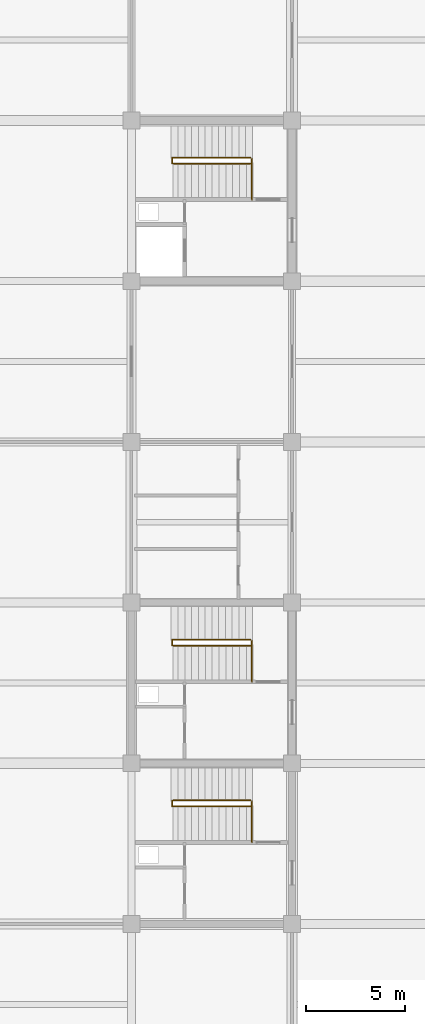
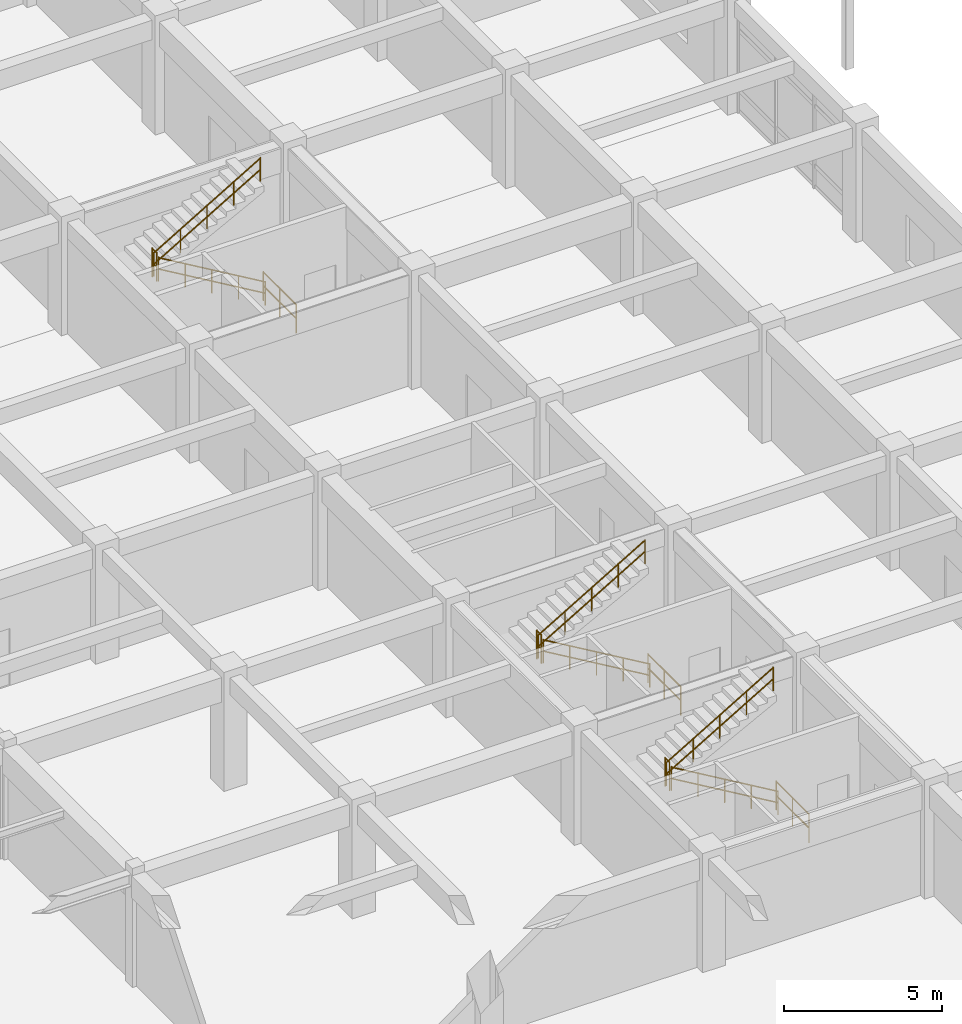
# One storey, part 90 of 93: 12 railings.
"""IFC4 building model written with IfcOpenShell, lengths in metres."""

from ifc_helpers import new_model, si_unit, direction, frame, origin, origin_2d, place, context, subcontext, project, spatial, circle, extrude, material, type_object, element, save


model = new_model("IFC4")

# Units and contexts
model_context = context("Model", 3, precision=1e-05, world=origin(), true_north=direction((0.0, 1.0)))
body_context = subcontext(model_context, "Body", "Model", "MODEL_VIEW")
ifc_project = project(units=[si_unit("LENGTHUNIT", "METRE"), si_unit("AREAUNIT", "SQUARE_METRE"), si_unit("VOLUMEUNIT", "CUBIC_METRE"), si_unit("PLANEANGLEUNIT", "RADIAN"), si_unit("MASSUNIT", "GRAM", prefix="KILO")], contexts=[model_context])

# Site, building, storey
site_placement = place(None, origin())
site = spatial("IfcSite", under=ifc_project, at=site_placement, CompositionType="ELEMENT")
building_placement = place(site_placement, origin())
building = spatial("IfcBuilding", under=site, at=building_placement, Name="Vaudrelin Polytechnic", CompositionType="ELEMENT")
storey_placement = place(building_placement, frame((0.0, 0.0, 5.10009765625)))
storey = spatial("IfcBuildingStorey", under=building, at=storey_placement, Name="L01", CompositionType="ELEMENT", Elevation=5.10009765625)

# Railings
ifc_material = material(Name="Brushed stainless steel AISI 304", Category="steel")
railing_type_1 = type_object("IfcRailingType", Name="RAL-GR-INT", PredefinedType="GUARDRAIL", material=ifc_material)
railing_1_placement = place(storey_placement, frame((151.8798828125, 68.909912109375, 0.0)))
element("IfcRailing", 1, at=railing_1_placement, inside=storey, type_object=railing_type_1, Name="ST-07-L00 upper well guardrail", PredefinedType="GUARDRAIL", context=body_context, shape_type="SweptSolid", body=[
    extrude(circle(Radius=0.02392578125, at=origin_2d()), frame((0.0, 0.023193359375, 1.09619140625), z_axis=(0.0, 1.0, 0.0), x_axis=(-1.0, 0.0, 0.0)), (0.0, 0.0, 1.0), 2.02392578125),
    extrude(circle(Radius=0.02392578125, at=origin_2d()), frame((0.0, 0.023193359375, 0.56005859375), z_axis=(0.0, 1.0, 0.0), x_axis=(-1.0, 0.0, 0.0)), (0.0, 0.0, 1.0), 2.02392578125),
    extrude(circle(Radius=0.02099609375, at=origin_2d()), origin(), (0.0, 0.0, 1.0), 1.1201171875),
    extrude(circle(Radius=0.02099609375, at=origin_2d()), frame((0.0, 1.03515625, 0.0)), (0.0, 0.0, 1.0), 1.1201171875),
    extrude(circle(Radius=0.02099609375, at=origin_2d()), frame((0.0, 2.070068359375, 0.0)), (0.0, 0.0, 1.0), 1.1201171875),
])
railing_2_placement = place(storey_placement, frame((147.85009765625, 70.739990234375, 2.294921875)))
element("IfcRailing", 2, at=railing_2_placement, inside=storey, type_object=railing_type_1, Name="ST-07-L01 landing well guardrail", PredefinedType="GUARDRAIL", context=body_context, shape_type="SweptSolid", body=[
    extrude(circle(Radius=0.02392578125, at=origin_2d()), frame((0.0, 0.023193359375, 1.09619140625), z_axis=(0.0, 1.0, 0.0), x_axis=(-1.0, 0.0, 0.0)), (0.0, 0.0, 1.0), 0.23388671875),
    extrude(circle(Radius=0.02392578125, at=origin_2d()), frame((0.0, 0.023193359375, 0.56005859375), z_axis=(0.0, 1.0, 0.0), x_axis=(-1.0, 0.0, 0.0)), (0.0, 0.0, 1.0), 0.23388671875),
    extrude(circle(Radius=0.02099609375, at=origin_2d()), origin(), (0.0, 0.0, 1.0), 1.1201171875),
    extrude(circle(Radius=0.02099609375, at=origin_2d()), frame((0.0, 0.280029296875, 0.0)), (0.0, 0.0, 1.0), 1.1201171875),
])
railing_3_placement = place(storey_placement, frame((151.8798828125, 36.510009765625, 0.0)))
element("IfcRailing", 3, at=railing_3_placement, inside=storey, type_object=railing_type_1, Name="ST-08-L00 upper well guardrail", PredefinedType="GUARDRAIL", context=body_context, shape_type="SweptSolid", body=[
    extrude(circle(Radius=0.02392578125, at=origin_2d()), frame((0.0, 0.023193359375, 1.09619140625), z_axis=(0.0, 1.0, 0.0), x_axis=(-1.0, 0.0, 0.0)), (0.0, 0.0, 1.0), 2.02392578125),
    extrude(circle(Radius=0.02392578125, at=origin_2d()), frame((0.0, 0.023193359375, 0.56005859375), z_axis=(0.0, 1.0, 0.0), x_axis=(-1.0, 0.0, 0.0)), (0.0, 0.0, 1.0), 2.02392578125),
    extrude(circle(Radius=0.02099609375, at=origin_2d()), origin(), (0.0, 0.0, 1.0), 1.1201171875),
    extrude(circle(Radius=0.02099609375, at=origin_2d()), frame((0.0, 1.03515625, 0.0)), (0.0, 0.0, 1.0), 1.1201171875),
    extrude(circle(Radius=0.02099609375, at=origin_2d()), frame((0.0, 2.070068359375, 0.0)), (0.0, 0.0, 1.0), 1.1201171875),
])
railing_4_placement = place(storey_placement, frame((147.85009765625, 38.340087890625, 2.294921875)))
element("IfcRailing", 4, at=railing_4_placement, inside=storey, type_object=railing_type_1, Name="ST-08-L01 landing well guardrail", PredefinedType="GUARDRAIL", context=body_context, shape_type="SweptSolid", body=[
    extrude(circle(Radius=0.02392578125, at=origin_2d()), frame((0.0, 0.023193359375, 1.09619140625), z_axis=(0.0, 1.0, 0.0), x_axis=(-1.0, 0.0, 0.0)), (0.0, 0.0, 1.0), 0.23388671875),
    extrude(circle(Radius=0.02392578125, at=origin_2d()), frame((0.0, 0.023193359375, 0.56005859375), z_axis=(0.0, 1.0, 0.0), x_axis=(-1.0, 0.0, 0.0)), (0.0, 0.0, 1.0), 0.23388671875),
    extrude(circle(Radius=0.02099609375, at=origin_2d()), origin(), (0.0, 0.0, 1.0), 1.1201171875),
    extrude(circle(Radius=0.02099609375, at=origin_2d()), frame((0.0, 0.280029296875, 0.0)), (0.0, 0.0, 1.0), 1.1201171875),
])
railing_5_placement = place(storey_placement, frame((151.8798828125, 44.610107421875, 0.0)))
element("IfcRailing", 5, at=railing_5_placement, inside=storey, type_object=railing_type_1, Name="ST-12-L00 upper well guardrail", PredefinedType="GUARDRAIL", context=body_context, shape_type="SweptSolid", body=[
    extrude(circle(Radius=0.02392578125, at=origin_2d()), frame((0.0, 0.023193359375, 1.09619140625), z_axis=(0.0, 1.0, 0.0), x_axis=(-1.0, 0.0, 0.0)), (0.0, 0.0, 1.0), 2.023681640625),
    extrude(circle(Radius=0.02392578125, at=origin_2d()), frame((0.0, 0.023193359375, 0.56005859375), z_axis=(0.0, 1.0, 0.0), x_axis=(-1.0, 0.0, 0.0)), (0.0, 0.0, 1.0), 2.023681640625),
    extrude(circle(Radius=0.02099609375, at=origin_2d()), origin(), (0.0, 0.0, 1.0), 1.1201171875),
    extrude(circle(Radius=0.02099609375, at=origin_2d()), frame((0.0, 1.034912109375, 0.0)), (0.0, 0.0, 1.0), 1.1201171875),
    extrude(circle(Radius=0.02099609375, at=origin_2d()), frame((0.0, 2.06982421875, 0.0)), (0.0, 0.0, 1.0), 1.1201171875),
])
railing_6_placement = place(storey_placement, frame((147.85009765625, 46.43994140625, 2.294921875)))
element("IfcRailing", 6, at=railing_6_placement, inside=storey, type_object=railing_type_1, Name="ST-12-L01 landing well guardrail", PredefinedType="GUARDRAIL", context=body_context, shape_type="SweptSolid", body=[
    extrude(circle(Radius=0.02392578125, at=origin_2d()), frame((0.0, 0.023193359375, 1.09619140625), z_axis=(0.0, 1.0, 0.0), x_axis=(-1.0, 0.0, 0.0)), (0.0, 0.0, 1.0), 0.23388671875),
    extrude(circle(Radius=0.02392578125, at=origin_2d()), frame((0.0, 0.023193359375, 0.56005859375), z_axis=(0.0, 1.0, 0.0), x_axis=(-1.0, 0.0, 0.0)), (0.0, 0.0, 1.0), 0.23388671875),
    extrude(circle(Radius=0.02099609375, at=origin_2d()), origin(), (0.0, 0.0, 1.0), 1.1201171875),
    extrude(circle(Radius=0.02099609375, at=origin_2d()), frame((0.0, 0.280029296875, 0.0)), (0.0, 0.0, 1.0), 1.1201171875),
])
railing_type_2 = type_object("IfcRailingType", Name="RAL-HR-STR", PredefinedType="HANDRAIL", material=ifc_material)
railing_7_placement = place(storey_placement, frame((151.800048828125, 70.72998046875, 0.0)))
element("IfcRailing", 7, at=railing_7_placement, inside=storey, type_object=railing_type_2, Name="ST-07-L01 flight 1 handrail", PredefinedType="HANDRAIL", context=body_context, shape_type="SweptSolid", body=[
    extrude(circle(Radius=0.02392578125, at=origin_2d()), frame((-0.019775390625, 0.0, 0.90771484375), z_axis=(-0.861294332789, 0.0, 0.508106359245), x_axis=(0.0, -1.0, 0.0)), (0.0, 0.0, 1.0), 4.470458984375),
    extrude(circle(Radius=0.02392578125, at=origin_2d()), frame((-0.019775390625, 0.0, 0.4716796875), z_axis=(-0.861294332789, 0.0, 0.508106359245), x_axis=(0.0, -1.0, 0.0)), (0.0, 0.0, 1.0), 4.470458984375),
    extrude(circle(Radius=0.02099609375, at=origin_2d()), origin(), (0.0, 0.0, 1.0), 0.919921875),
    extrude(circle(Radius=0.02099609375, at=origin_2d()), frame((-0.97265625, 0.0, 0.57373046875)), (0.0, 0.0, 1.0), 0.919921875),
    extrude(circle(Radius=0.02099609375, at=origin_2d()), frame((-1.945068359375, 0.0, 1.1474609375)), (0.0, 0.0, 1.0), 0.919921875),
    extrude(circle(Radius=0.02099609375, at=origin_2d()), frame((-2.91748046875, 0.0, 1.72119140625)), (0.0, 0.0, 1.0), 0.919921875),
    extrude(circle(Radius=0.02099609375, at=origin_2d()), frame((-3.89013671875, 0.0, 2.294921875)), (0.0, 0.0, 1.0), 0.919921875),
])
railing_8_placement = place(storey_placement, frame((147.909912109375, 71.030029296875, 2.294921875)))
element("IfcRailing", 8, at=railing_8_placement, inside=storey, type_object=railing_type_2, Name="ST-07-L01 flight 2 handrail", PredefinedType="HANDRAIL", context=body_context, shape_type="SweptSolid", body=[
    extrude(circle(Radius=0.02392578125, at=origin_2d()), frame((0.019775390625, 0.0, 0.90771484375), z_axis=(0.861294332789, 0.0, 0.508106359245), x_axis=(0.0, 1.0, 0.0)), (0.0, 0.0, 1.0), 4.470458984375),
    extrude(circle(Radius=0.02392578125, at=origin_2d()), frame((0.019775390625, 0.0, 0.4716796875), z_axis=(0.861294332789, 0.0, 0.508106359245), x_axis=(0.0, 1.0, 0.0)), (0.0, 0.0, 1.0), 4.470458984375),
    extrude(circle(Radius=0.02099609375, at=origin_2d()), origin(), (0.0, 0.0, 1.0), 0.919921875),
    extrude(circle(Radius=0.02099609375, at=origin_2d()), frame((0.97265625, 0.0, 0.57373046875)), (0.0, 0.0, 1.0), 0.919921875),
    extrude(circle(Radius=0.02099609375, at=origin_2d()), frame((1.945068359375, 0.0, 1.1474609375)), (0.0, 0.0, 1.0), 0.919921875),
    extrude(circle(Radius=0.02099609375, at=origin_2d()), frame((2.91748046875, 0.0, 1.72119140625)), (0.0, 0.0, 1.0), 0.919921875),
    extrude(circle(Radius=0.02099609375, at=origin_2d()), frame((3.89013671875, 0.0, 2.294921875)), (0.0, 0.0, 1.0), 0.919921875),
])
railing_9_placement = place(storey_placement, frame((151.800048828125, 38.330078125, 0.0)))
element("IfcRailing", 9, at=railing_9_placement, inside=storey, type_object=railing_type_2, Name="ST-08-L01 flight 1 handrail", PredefinedType="HANDRAIL", context=body_context, shape_type="SweptSolid", body=[
    extrude(circle(Radius=0.02392578125, at=origin_2d()), frame((-0.019775390625, 0.0, 0.90771484375), z_axis=(-0.861294332789, 0.0, 0.508106359245), x_axis=(0.0, -1.0, 0.0)), (0.0, 0.0, 1.0), 4.470458984375),
    extrude(circle(Radius=0.02392578125, at=origin_2d()), frame((-0.019775390625, 0.0, 0.4716796875), z_axis=(-0.861294332789, 0.0, 0.508106359245), x_axis=(0.0, -1.0, 0.0)), (0.0, 0.0, 1.0), 4.470458984375),
    extrude(circle(Radius=0.02099609375, at=origin_2d()), origin(), (0.0, 0.0, 1.0), 0.919921875),
    extrude(circle(Radius=0.02099609375, at=origin_2d()), frame((-0.97265625, 0.0, 0.57373046875)), (0.0, 0.0, 1.0), 0.919921875),
    extrude(circle(Radius=0.02099609375, at=origin_2d()), frame((-1.945068359375, 0.0, 1.1474609375)), (0.0, 0.0, 1.0), 0.919921875),
    extrude(circle(Radius=0.02099609375, at=origin_2d()), frame((-2.91748046875, 0.0, 1.72119140625)), (0.0, 0.0, 1.0), 0.919921875),
    extrude(circle(Radius=0.02099609375, at=origin_2d()), frame((-3.89013671875, 0.0, 2.294921875)), (0.0, 0.0, 1.0), 0.919921875),
])
railing_10_placement = place(storey_placement, frame((147.909912109375, 38.6298828125, 2.294921875)))
element("IfcRailing", 10, at=railing_10_placement, inside=storey, type_object=railing_type_2, Name="ST-08-L01 flight 2 handrail", PredefinedType="HANDRAIL", context=body_context, shape_type="SweptSolid", body=[
    extrude(circle(Radius=0.02392578125, at=origin_2d()), frame((0.019775390625, 0.0, 0.90771484375), z_axis=(0.861294332789, 0.0, 0.508106359245), x_axis=(0.0, 1.0, 0.0)), (0.0, 0.0, 1.0), 4.470458984375),
    extrude(circle(Radius=0.02392578125, at=origin_2d()), frame((0.019775390625, 0.0, 0.4716796875), z_axis=(0.861294332789, 0.0, 0.508106359245), x_axis=(0.0, 1.0, 0.0)), (0.0, 0.0, 1.0), 4.470458984375),
    extrude(circle(Radius=0.02099609375, at=origin_2d()), origin(), (0.0, 0.0, 1.0), 0.919921875),
    extrude(circle(Radius=0.02099609375, at=origin_2d()), frame((0.97265625, 0.0, 0.57373046875)), (0.0, 0.0, 1.0), 0.919921875),
    extrude(circle(Radius=0.02099609375, at=origin_2d()), frame((1.945068359375, 0.0, 1.1474609375)), (0.0, 0.0, 1.0), 0.919921875),
    extrude(circle(Radius=0.02099609375, at=origin_2d()), frame((2.91748046875, 0.0, 1.72119140625)), (0.0, 0.0, 1.0), 0.919921875),
    extrude(circle(Radius=0.02099609375, at=origin_2d()), frame((3.89013671875, 0.0, 2.294921875)), (0.0, 0.0, 1.0), 0.919921875),
])
railing_11_placement = place(storey_placement, frame((151.800048828125, 46.429931640625, 0.0)))
element("IfcRailing", 11, at=railing_11_placement, inside=storey, type_object=railing_type_2, Name="ST-12-L01 flight 1 handrail", PredefinedType="HANDRAIL", context=body_context, shape_type="SweptSolid", body=[
    extrude(circle(Radius=0.02392578125, at=origin_2d()), frame((-0.019775390625, 0.0, 0.90771484375), z_axis=(-0.861294332789, 0.0, 0.508106359245), x_axis=(0.0, -1.0, 0.0)), (0.0, 0.0, 1.0), 4.470458984375),
    extrude(circle(Radius=0.02392578125, at=origin_2d()), frame((-0.019775390625, 0.0, 0.4716796875), z_axis=(-0.861294332789, 0.0, 0.508106359245), x_axis=(0.0, -1.0, 0.0)), (0.0, 0.0, 1.0), 4.470458984375),
    extrude(circle(Radius=0.02099609375, at=origin_2d()), origin(), (0.0, 0.0, 1.0), 0.919921875),
    extrude(circle(Radius=0.02099609375, at=origin_2d()), frame((-0.97265625, 0.0, 0.57373046875)), (0.0, 0.0, 1.0), 0.919921875),
    extrude(circle(Radius=0.02099609375, at=origin_2d()), frame((-1.945068359375, 0.0, 1.1474609375)), (0.0, 0.0, 1.0), 0.919921875),
    extrude(circle(Radius=0.02099609375, at=origin_2d()), frame((-2.91748046875, 0.0, 1.72119140625)), (0.0, 0.0, 1.0), 0.919921875),
    extrude(circle(Radius=0.02099609375, at=origin_2d()), frame((-3.89013671875, 0.0, 2.294921875)), (0.0, 0.0, 1.0), 0.919921875),
])
railing_12_placement = place(storey_placement, frame((147.909912109375, 46.72998046875, 2.294921875)))
element("IfcRailing", 12, at=railing_12_placement, inside=storey, type_object=railing_type_2, Name="ST-12-L01 flight 2 handrail", PredefinedType="HANDRAIL", context=body_context, shape_type="SweptSolid", body=[
    extrude(circle(Radius=0.02392578125, at=origin_2d()), frame((0.019775390625, 0.0, 0.90771484375), z_axis=(0.861294332789, 0.0, 0.508106359245), x_axis=(0.0, 1.0, 0.0)), (0.0, 0.0, 1.0), 4.470458984375),
    extrude(circle(Radius=0.02392578125, at=origin_2d()), frame((0.019775390625, 0.0, 0.4716796875), z_axis=(0.861294332789, 0.0, 0.508106359245), x_axis=(0.0, 1.0, 0.0)), (0.0, 0.0, 1.0), 4.470458984375),
    extrude(circle(Radius=0.02099609375, at=origin_2d()), origin(), (0.0, 0.0, 1.0), 0.919921875),
    extrude(circle(Radius=0.02099609375, at=origin_2d()), frame((0.97265625, 0.0, 0.57373046875)), (0.0, 0.0, 1.0), 0.919921875),
    extrude(circle(Radius=0.02099609375, at=origin_2d()), frame((1.945068359375, 0.0, 1.1474609375)), (0.0, 0.0, 1.0), 0.919921875),
    extrude(circle(Radius=0.02099609375, at=origin_2d()), frame((2.91748046875, 0.0, 1.72119140625)), (0.0, 0.0, 1.0), 0.919921875),
    extrude(circle(Radius=0.02099609375, at=origin_2d()), frame((3.89013671875, 0.0, 2.294921875)), (0.0, 0.0, 1.0), 0.919921875),
])

save(model, "model.ifc")
